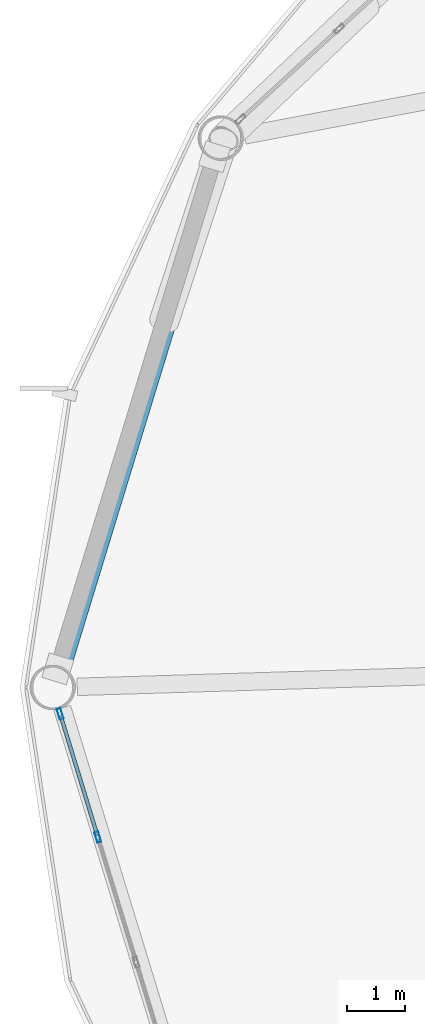
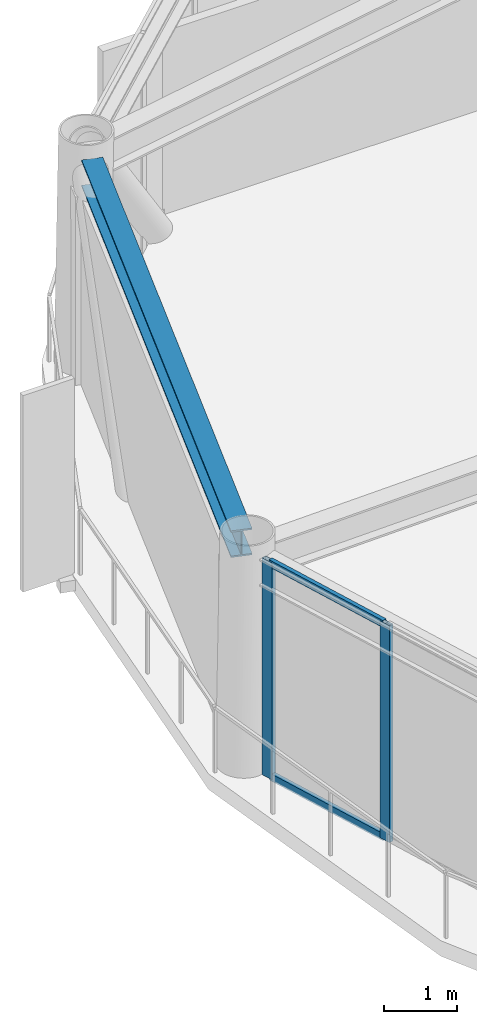
# One storey, part 9 of 26: 4 members, 1 beam, 1 element without a shape of its own.
"""IFC4 building model written with IfcOpenShell, lengths in metres."""

import ifcopenshell
import ifcopenshell.guid

model = None  # the IFC model being written
_history = None  # IfcOwnerHistory: only IFC2X3 demands one
_inside = {}  # id of a spatial element -> (the spatial element, [elements in it])
_under = {}  # id of a project, library or spatial element -> (it, [spatial elements below it])
_declared = {}  # id of a project -> (the project, [libraries it declares])
_typed = {}  # id of a type object -> (the type object, [elements of that type])
_made_of = {}  # id of a material, layer set ... -> (it, [elements and type objects made of it])


def new_model(schema):
    """Start an empty IFC model of exactly this schema.

    Asked for "IFC4X3", IfcOpenShell would pick the latest addendum, in which some entities
    have other attributes; the version numbers below select the first issue.
    IFC2X3 requires an IfcOwnerHistory on every rooted entity: one is made here for all.
    """
    global model, _history
    if schema == "IFC4X3":
        model = ifcopenshell.file(schema_version=(4, 3, 0, 0))
    else:
        model = ifcopenshell.file(schema=schema)
    _inside.clear()
    _under.clear()
    _declared.clear()
    _typed.clear()
    _made_of.clear()
    _history = None
    if model.schema == "IFC2X3":
        org = make("IfcOrganization", Name="unknown")
        user = make(
            "IfcPersonAndOrganization",
            ThePerson=make("IfcPerson", FamilyName="unknown"),
            TheOrganization=org,
        )
        app = make(
            "IfcApplication",
            ApplicationDeveloper=org,
            Version="unknown",
            ApplicationFullName="unknown",
            ApplicationIdentifier="unknown",
        )
        _history = make(
            "IfcOwnerHistory",
            OwningUser=user,
            OwningApplication=app,
            ChangeAction="ADDED",
            CreationDate=0,
        )
    return model


def make(cls, **values):
    """One entity of the class cls with the attributes given. An attribute that is None is left unset."""
    return model.create_entity(
        cls, **{name: value for name, value in values.items() if value is not None}
    )


def rooted(cls, **values):
    """An entity with a GlobalId (a new one), such as an element, a storey or a relation."""
    return make(cls, GlobalId=ifcopenshell.guid.new(), OwnerHistory=_history, **values)


def si_unit(unit_type, name, prefix=None):
    """IfcSIUnit, for example si_unit("LENGTHUNIT", "METRE", prefix="MILLI")."""
    return make("IfcSIUnit", UnitType=unit_type, Prefix=prefix, Name=name)


def assignment(units):
    """IfcUnitAssignment: the units of a project."""
    return None if units is None else make("IfcUnitAssignment", Units=units)


def point(xyz):
    """IfcCartesianPoint."""
    return None if xyz is None else make("IfcCartesianPoint", Coordinates=xyz)


def direction(xyz):
    """IfcDirection."""
    return None if xyz is None else make("IfcDirection", DirectionRatios=xyz)


def frame(location, z_axis=None, x_axis=None):
    """IfcAxis2Placement3D, a coordinate frame: its origin and axes. An axis left out is left unset."""
    return make(
        "IfcAxis2Placement3D",
        Location=point(location),
        Axis=direction(z_axis),
        RefDirection=direction(x_axis),
    )


def frame_2d(location, x_axis=None):
    """IfcAxis2Placement2D, a coordinate frame in the plane: its origin and x axis."""
    return make(
        "IfcAxis2Placement2D", Location=point(location), RefDirection=direction(x_axis)
    )


def origin():
    """The frame at (0, 0, 0) with its axes left unset."""
    return frame((0.0, 0.0, 0.0))


def origin_2d():
    """The frame at (0, 0) in the plane with its x axis left unset."""
    return frame_2d((0.0, 0.0))


def place(relative_to, where):
    """IfcLocalPlacement: puts the frame where relative to a parent placement (None: the world)."""
    return make(
        "IfcLocalPlacement", PlacementRelTo=relative_to, RelativePlacement=where
    )


def context(
    kind, dimensions, precision=None, world=None, true_north=None, identifier=None
):
    """IfcGeometricRepresentationContext, for example the 3D "Model" context."""
    return make(
        "IfcGeometricRepresentationContext",
        ContextIdentifier=identifier,
        ContextType=kind,
        CoordinateSpaceDimension=dimensions,
        Precision=precision,
        WorldCoordinateSystem=world,
        TrueNorth=true_north,
    )


def subcontext(parent, identifier, kind, view, scale=None):
    """IfcGeometricRepresentationSubContext, for example "Body" below "Model"."""
    return make(
        "IfcGeometricRepresentationSubContext",
        ContextIdentifier=identifier,
        ContextType=kind,
        ParentContext=parent,
        TargetScale=scale,
        TargetView=view,
    )


def project(units=None, contexts=None):
    """IfcProject with its units and contexts."""
    return rooted(
        "IfcProject",
        Name="project",
        RepresentationContexts=contexts,
        UnitsInContext=assignment(units),
    )


def spatial(cls, under=None, at=None, **own):
    """A site, building, storey or space (cls), placed at a placement, below another one or the project."""
    s = rooted(cls, ObjectPlacement=at, **own)
    if under is not None:
        _under.setdefault(under.id(), (under, []))[1].append(s)
    return s


def profile(cls, at=None, kind="AREA", **sizes):
    """A parametric profile (cls). Its sizes go by their IFC names, for example OverallWidth=200.0."""
    return make(cls, ProfileType=kind, Position=at, **sizes)


def hollow_rectangle(**sizes):
    """IfcRectangleHollowProfileDef."""
    return profile("IfcRectangleHollowProfileDef", **sizes)


def i_section(**sizes):
    """IfcIShapeProfileDef."""
    return profile("IfcIShapeProfileDef", **sizes)


def extrude(swept, where, along, depth):
    """IfcExtrudedAreaSolid: the profile swept, set in the frame where, extruded along a direction by depth."""
    return make(
        "IfcExtrudedAreaSolid",
        SweptArea=swept,
        Position=where,
        ExtrudedDirection=direction(along),
        Depth=depth,
    )


def shape(context_of_items, identifier, shape_type, items):
    """IfcShapeRepresentation: the items that make up one representation, for example the "Body"."""
    return make(
        "IfcShapeRepresentation",
        ContextOfItems=context_of_items,
        RepresentationIdentifier=identifier,
        RepresentationType=shape_type,
        Items=items,
    )


def material(Name=None, Category=None):
    """IfcMaterial."""
    return make("IfcMaterial", Name=Name, Category=Category)


def layer(
    of_material, thickness, ventilated=None, Name=None, Category=None, Priority=None
):
    """IfcMaterialLayer: one layer of a wall or slab, of a material (None: an air gap)."""
    return make(
        "IfcMaterialLayer",
        Material=of_material,
        LayerThickness=thickness,
        IsVentilated=ventilated,
        Name=Name,
        Category=Category,
        Priority=Priority,
    )


def layer_set(layers, Name=None):
    """IfcMaterialLayerSet."""
    return make("IfcMaterialLayerSet", MaterialLayers=layers, LayerSetName=Name)


def material_profile(
    of_material, cross_section, Name=None, Category=None, Priority=None
):
    """IfcMaterialProfile: a cross section and its material."""
    return make(
        "IfcMaterialProfile",
        Name=Name,
        Material=of_material,
        Profile=cross_section,
        Priority=Priority,
        Category=Category,
    )


def profile_set(profiles, Name=None, composite=None):
    """IfcMaterialProfileSet."""
    return make(
        "IfcMaterialProfileSet",
        Name=Name,
        MaterialProfiles=profiles,
        CompositeProfile=composite,
    )


def made_of(thing, what):
    """Note that an element or type object is made of a material, layer set ...; save() writes the relation."""
    if what is not None:
        _made_of.setdefault(what.id(), (what, []))[1].append(thing)
    return thing


def type_object(cls, material=None, **own):
    """A type object (cls), such as IfcWallType, which elements share."""
    return made_of(rooted(cls, **own), material)


def element(
    cls,
    number,
    at=None,
    inside=None,
    cuts=None,
    type_object=None,
    material=None,
    context=None,
    identifier="Body",
    shape_type=None,
    held_by="IfcProductDefinitionShape",
    body=None,
    shapes=None,
    **own,
):
    """One element of the class cls, such as IfcWall. Its Tag is "e" and its number.

    at: its placement. inside: the storey or other place that contains it. cuts: it is an
    opening in that element (IfcRelVoidsElement). A single representation is given by context,
    identifier, shape_type and body (its items); several are given by shapes. held_by: the class
    of the entity that holds the representations. save() writes the other relations.
    """
    e = rooted(cls, Tag="e%d" % number, ObjectPlacement=at, **own)
    if body is not None:
        shapes = [shape(context, identifier, shape_type, body)]
    if shapes is not None:
        e.Representation = make(held_by, Representations=shapes)
    if inside is not None:
        _inside.setdefault(inside.id(), (inside, []))[1].append(e)
    if cuts is not None:
        rooted(
            "IfcRelVoidsElement", RelatingBuildingElement=cuts, RelatedOpeningElement=e
        )
    if type_object is not None:
        _typed.setdefault(type_object.id(), (type_object, []))[1].append(e)
    return made_of(e, material)


def aggregate(whole, parts):
    """IfcRelAggregates: a whole, such as a stair, and the parts it consists of."""
    return rooted("IfcRelAggregates", RelatingObject=whole, RelatedObjects=parts)


def save(model, path):
    """Write the relations noted so far, then the file.

    IfcRelAggregates (storeys below a building ...), IfcRelContainedInSpatialStructure (elements
    in a storey), IfcRelDefinesByType, IfcRelAssociatesMaterial and IfcRelDeclares: one each for
    every whole, place, type object, material and project.
    """
    for whole, parts in _under.values():
        aggregate(whole, parts)
    for where, things in _inside.values():
        rooted(
            "IfcRelContainedInSpatialStructure",
            RelatedElements=things,
            RelatingStructure=where,
        )
    for kind, things in _typed.values():
        rooted("IfcRelDefinesByType", RelatedObjects=things, RelatingType=kind)
    for what, things in _made_of.values():
        rooted("IfcRelAssociatesMaterial", RelatedObjects=things, RelatingMaterial=what)
    for by, libraries in _declared.values():
        rooted("IfcRelDeclares", RelatingContext=by, RelatedDefinitions=libraries)
    model.write(path)


model = new_model("IFC4")

# Units and contexts
model_context = context("Model", 3, precision=1e-05, world=origin(), true_north=direction((0.0, 1.0)))
body_context = subcontext(model_context, "Body", "Model", "MODEL_VIEW")
ifc_project = project(units=[si_unit("LENGTHUNIT", "METRE"), si_unit("AREAUNIT", "SQUARE_METRE"), si_unit("VOLUMEUNIT", "CUBIC_METRE"), si_unit("PLANEANGLEUNIT", "RADIAN"), si_unit("MASSUNIT", "GRAM", prefix="KILO")], contexts=[model_context])

# Site, building, storey
site_placement = place(None, origin())
site = spatial("IfcSite", under=ifc_project, at=site_placement, CompositionType="ELEMENT")
building_placement = place(site_placement, origin())
building = spatial("IfcBuilding", under=site, at=building_placement, Name="Varnakorn Sky Granary", CompositionType="ELEMENT")
storey_placement = place(building_placement, frame((0.0, 0.0, 153.89990234375)))
storey = spatial("IfcBuildingStorey", under=building, at=storey_placement, Name="L38", CompositionType="ELEMENT", Elevation=153.89990234375)

# Beam
ifc_material_1 = material(Name="Steel S355JR", Category="steel")
ifc_material_profile_1 = material_profile(ifc_material_1, i_section(OverallWidth=0.300048828125, OverallDepth=0.449951171875, WebThickness=0.013916015625, FlangeThickness=0.02587890625, at=origin_2d()), Name="HE 450 B")
ifc_profile_set_1 = profile_set([ifc_material_profile_1], Name="Steel S355JR")
beam_type = type_object("IfcBeamType", Name="BM-SPD-Z3", PredefinedType="SPANDREL", material=ifc_profile_set_1)
beam_placement = place(storey_placement, frame((-19.37353515625, 9.0791015625, 3.4150390625), z_axis=(-0.292442765149, -0.956283027724, 0.0), x_axis=(0.956283027724, -0.292442765149, 0.0)))
element("IfcBeam", 1, at=beam_placement, inside=storey, type_object=beam_type, Name="Perimeter Spandrel Ring Beam RB06 L38", PredefinedType="SPANDREL", context=body_context, shape_type="SweptSolid", body=[
    extrude(i_section(OverallWidth=0.300048828125, OverallDepth=0.449951171875, WebThickness=0.013916015625, FlangeThickness=0.02587890625, at=origin_2d()), origin(), (0.0, 0.0, 1.0), 9.128173828125),
])

# Curtain wall, members
ifc_material_2 = material(Name="Anodised Bronze Aluminium Alloy 6063-T6", Category="aluminium")
ifc_layer = layer(ifc_material_2, 0.179931640625, Name="Anodised Bronze Aluminium Alloy 6063-T6")
ifc_layer_set = layer_set([ifc_layer], Name="Anodised Bronze Aluminium Alloy 6063-T6")
curtain_wall_type = type_object("IfcCurtainWallType", Name="CW-FRM-2", PredefinedType="USERDEFINED", material=ifc_layer_set)
curtain_wall_placement = place(storey_placement, origin())
curtain_wall = element("IfcCurtainWall", 2, at=curtain_wall_placement, inside=storey, type_object=curtain_wall_type, Name="Unitised Curtain Wall CW4 CW-L38-B07", ObjectType="CURTAIN WALL", PredefinedType="USERDEFINED")
ifc_material_profile_2 = material_profile(ifc_material_2, hollow_rectangle(XDim=0.070068359375, YDim=0.18505859375, WallThickness=0.00390625, at=origin_2d()), Name="ALU MULL 70x185")
ifc_profile_set_2 = profile_set([ifc_material_profile_2], Name="Anodised Bronze Aluminium Alloy 6063-T6")
member_type_1 = type_object("IfcMemberType", Name="CW-FRM-2-MULL", PredefinedType="MULLION", material=ifc_profile_set_2)
member_1_placement = place(storey_placement, frame((-21.429443359375, -2.573974609375, 0.0), z_axis=(0.0, 0.0, 1.0), x_axis=(-0.956229135682, -0.29261893321, 0.0)))
member_1 = element("IfcMember", 3, at=member_1_placement, type_object=member_type_1, Name="CW4 mullion 4", PredefinedType="MULLION", context=body_context, shape_type="SweptSolid", body=[
    extrude(hollow_rectangle(XDim=0.070068359375, YDim=0.18505859375, WallThickness=0.00390625, at=origin_2d()), origin(), (0.0, 0.0, 1.0), 3.64013671875),
])
member_2_placement = place(storey_placement, frame((-22.07763671875, -0.455078125, 0.0), z_axis=(0.0, 0.0, 1.0), x_axis=(-0.956229135682, -0.29261893321, 0.0)))
member_2 = element("IfcMember", 4, at=member_2_placement, type_object=member_type_1, Name="CW4 mullion 5", PredefinedType="MULLION", context=body_context, shape_type="SweptSolid", body=[
    extrude(hollow_rectangle(XDim=0.070068359375, YDim=0.18505859375, WallThickness=0.00390625, at=origin_2d()), origin(), (0.0, 0.0, 1.0), 3.64013671875),
])
ifc_material_profile_3 = material_profile(ifc_material_2, hollow_rectangle(XDim=0.06494140625, YDim=0.1201171875, WallThickness=0.00341796875, at=origin_2d()), Name="ALU TRAN 65x120")
ifc_profile_set_3 = profile_set([ifc_material_profile_3], Name="Anodised Bronze Aluminium Alloy 6063-T6")
member_type_2 = type_object("IfcMemberType", Name="CW-FRM-2-TRAN", PredefinedType="USERDEFINED", material=ifc_profile_set_3)
member_3_placement = place(storey_placement, frame((-21.439697265625, -2.54052734375, 0.03271484375), z_axis=(-0.29261449496, 0.956230493835, 0.0), x_axis=(-0.956230493835, -0.29261449496, 0.0)))
member_3 = element("IfcMember", 5, at=member_3_placement, type_object=member_type_2, Name="CW4 transom 4.1", ObjectType="TRANSOM", PredefinedType="USERDEFINED", context=body_context, shape_type="SweptSolid", body=[
    extrude(hollow_rectangle(XDim=0.06494140625, YDim=0.1201171875, WallThickness=0.00341796875, at=origin_2d()), origin(), (0.0, 0.0, 1.0), 2.14599609375),
])
member_4_placement = place(storey_placement, frame((-21.439697265625, -2.54052734375, 3.607666015625), z_axis=(-0.29261449496, 0.956230493835, 0.0), x_axis=(-0.956230493835, -0.29261449496, 0.0)))
member_4 = element("IfcMember", 6, at=member_4_placement, type_object=member_type_2, Name="CW4 transom 4.2", ObjectType="TRANSOM", PredefinedType="USERDEFINED", context=body_context, shape_type="SweptSolid", body=[
    extrude(hollow_rectangle(XDim=0.06494140625, YDim=0.1201171875, WallThickness=0.00341796875, at=origin_2d()), origin(), (0.0, 0.0, 1.0), 2.14599609375),
])
aggregate(curtain_wall, [member_1, member_2, member_3, member_4])

save(model, "model.ifc")
